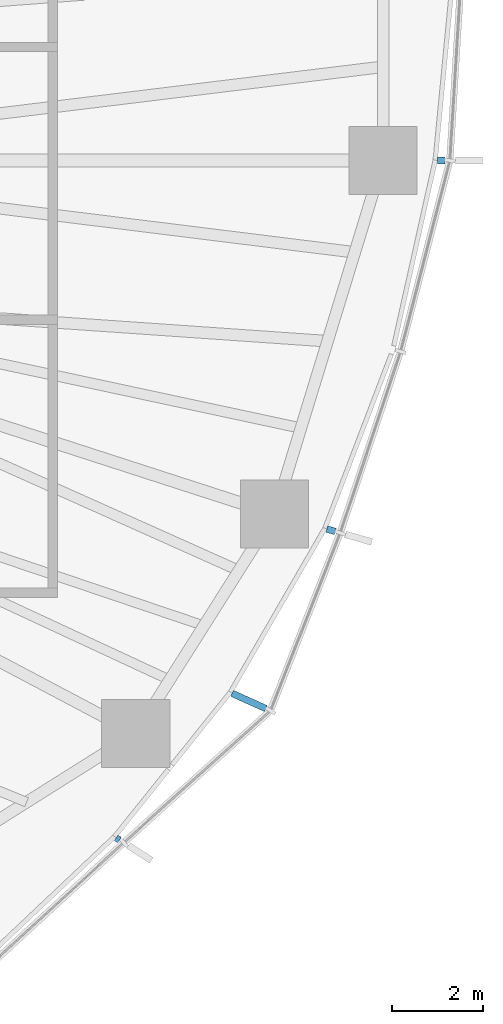
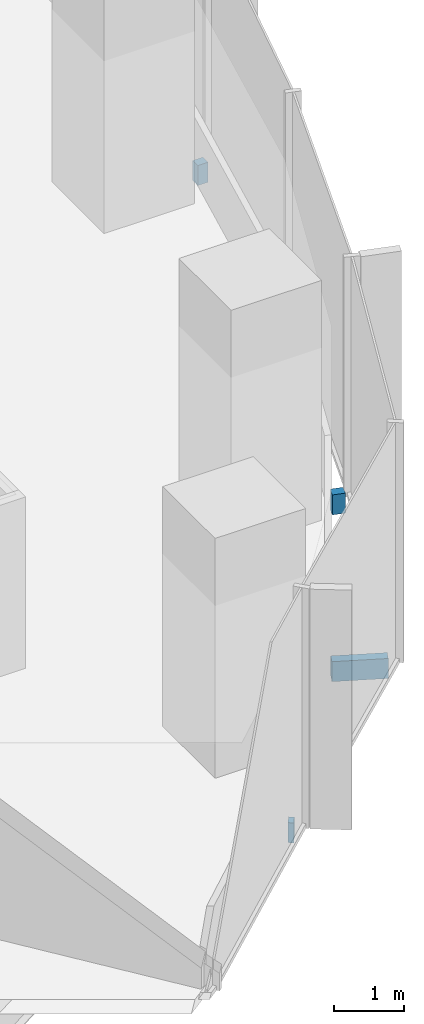
# One storey, part 14 of 18: 4 discrete accessories.
"""IFC4 building model written with IfcOpenShell, lengths in metres."""

from ifc_helpers import new_model, si_unit, direction, frame, origin, origin_2d, place, context, subcontext, project, spatial, rectangle, extrude, material, type_object, element, save


model = new_model("IFC4")

# Units and contexts
model_context = context("Model", 3, precision=1e-05, world=origin(), true_north=direction((0.0, 1.0)))
body_context = subcontext(model_context, "Body", "Model", "MODEL_VIEW")
ifc_project = project(units=[si_unit("LENGTHUNIT", "METRE"), si_unit("AREAUNIT", "SQUARE_METRE"), si_unit("VOLUMEUNIT", "CUBIC_METRE"), si_unit("PLANEANGLEUNIT", "RADIAN"), si_unit("MASSUNIT", "GRAM", prefix="KILO")], contexts=[model_context])

# Site, building, storey
site_placement = place(None, origin())
site = spatial("IfcSite", under=ifc_project, at=site_placement, CompositionType="ELEMENT")
building_placement = place(site_placement, origin())
building = spatial("IfcBuilding", under=site, at=building_placement, Name="Ghaith Harvest Tower", CompositionType="ELEMENT")
storey_placement = place(building_placement, frame((0.0, 0.0, 113.39990234375)))
storey = spatial("IfcBuildingStorey", under=building, at=storey_placement, Name="L23", CompositionType="ELEMENT", Elevation=113.39990234375)

# Discrete accessories
ifc_material_1 = material(Name="Stainless steel grade 1.4401", Category="steel")
discrete_accessory_type_1 = type_object("IfcDiscreteAccessoryType", Name="CURTAIN WALL BRACKET 165", PredefinedType="BRACKET", material=ifc_material_1)
discrete_accessory_1_placement = place(storey_placement, frame((30.5361328125, 0.0, -0.25), z_axis=(0.0, 0.0, 1.0), x_axis=(1.0, 0.0, 0.0)))
element("IfcDiscreteAccessory", 1, at=discrete_accessory_1_placement, inside=storey, type_object=discrete_accessory_type_1, Name="CW-L bracket 1 bay 01 L23", PredefinedType="BRACKET", context=body_context, shape_type="SweptSolid", body=[
    extrude(rectangle(XDim=0.1650390625, YDim=0.14990234375, at=origin_2d()), origin(), (0.0, 0.0, 1.0), 0.35009765625),
])
ifc_material_2 = material(Name="Stainless steel grade 1.4401", Category="steel")
discrete_accessory_type_2 = type_object("IfcDiscreteAccessoryType", Name="CURTAIN WALL BRACKET 195", PredefinedType="BRACKET", material=ifc_material_2)
discrete_accessory_2_placement = place(storey_placement, frame((28.1201171875, -8.127197265625, -0.25), z_axis=(0.0, 0.0, 1.0), x_axis=(0.960680349932, -0.277656739976, 0.0)))
element("IfcDiscreteAccessory", 2, at=discrete_accessory_2_placement, inside=storey, type_object=discrete_accessory_type_2, Name="CW-L bracket 1 bay 20 L23", PredefinedType="BRACKET", context=body_context, shape_type="SweptSolid", body=[
    extrude(rectangle(XDim=0.195068359375, YDim=0.14990234375, at=origin_2d()), origin(), (0.0, 0.0, 1.0), 0.35009765625),
])
ifc_material_3 = material(Name="Stainless steel grade 1.4401", Category="steel")
discrete_accessory_type_3 = type_object("IfcDiscreteAccessoryType", Name="CURTAIN WALL BRACKET 815", PredefinedType="BRACKET", material=ifc_material_3)
discrete_accessory_3_placement = place(storey_placement, frame((26.314697265625, -11.879638671875, -0.25), z_axis=(0.0, 0.0, 1.0), x_axis=(0.911426750831, -0.41146236507, 0.0)))
element("IfcDiscreteAccessory", 3, at=discrete_accessory_3_placement, inside=storey, type_object=discrete_accessory_type_3, Name="CW-L bracket 2 bay 19 L23", PredefinedType="BRACKET", context=body_context, shape_type="SweptSolid", body=[
    extrude(rectangle(XDim=0.81494140625, YDim=0.14990234375, at=origin_2d()), origin(), (0.0, 0.0, 1.0), 0.35009765625),
])
ifc_material_4 = material(Name="Stainless steel grade 1.4401", Category="steel")
discrete_accessory_type_4 = type_object("IfcDiscreteAccessoryType", Name="CURTAIN WALL BRACKET 85", PredefinedType="BRACKET", material=ifc_material_4)
discrete_accessory_4_placement = place(storey_placement, frame((23.431884765625, -14.912353515625, -0.25), z_axis=(0.0, 0.0, 1.0), x_axis=(0.84364397137, -0.536903016913, 0.0)))
element("IfcDiscreteAccessory", 4, at=discrete_accessory_4_placement, inside=storey, type_object=discrete_accessory_type_4, Name="CW-L bracket 1 bay 19 L23", PredefinedType="BRACKET", context=body_context, shape_type="SweptSolid", body=[
    extrude(rectangle(XDim=0.0849609375, YDim=0.14990234375, at=origin_2d()), origin(), (0.0, 0.0, 1.0), 0.35009765625),
])

save(model, "model.ifc")
